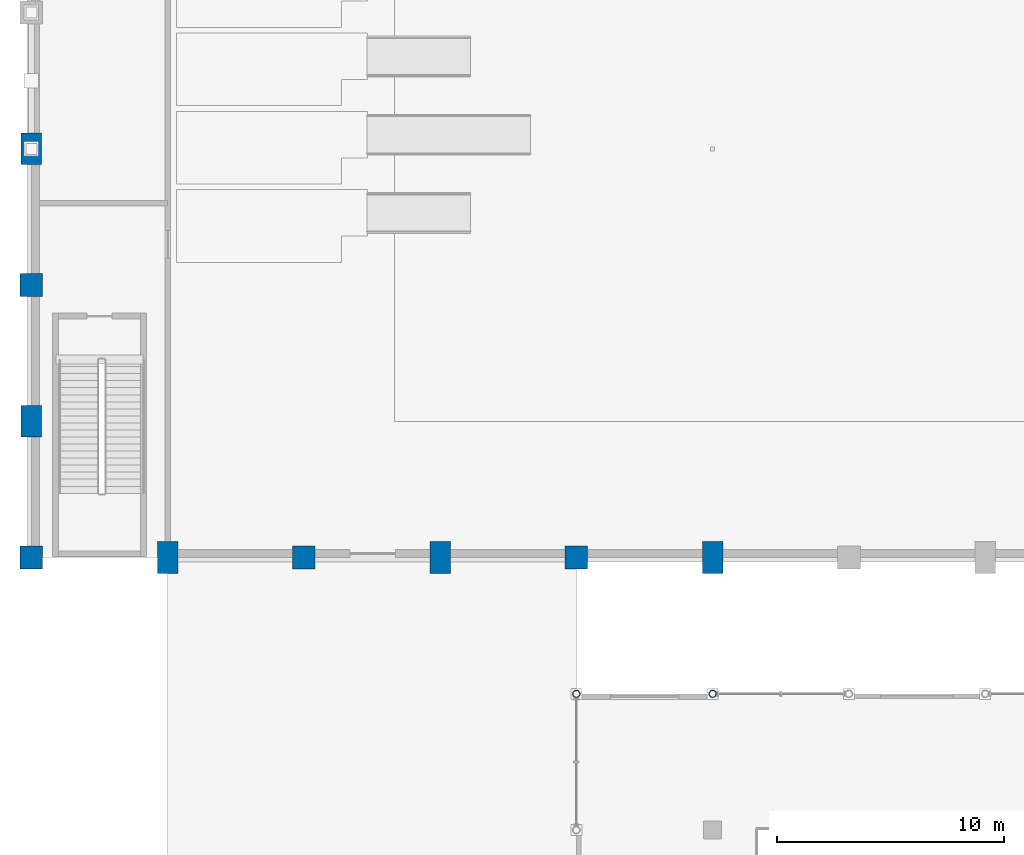
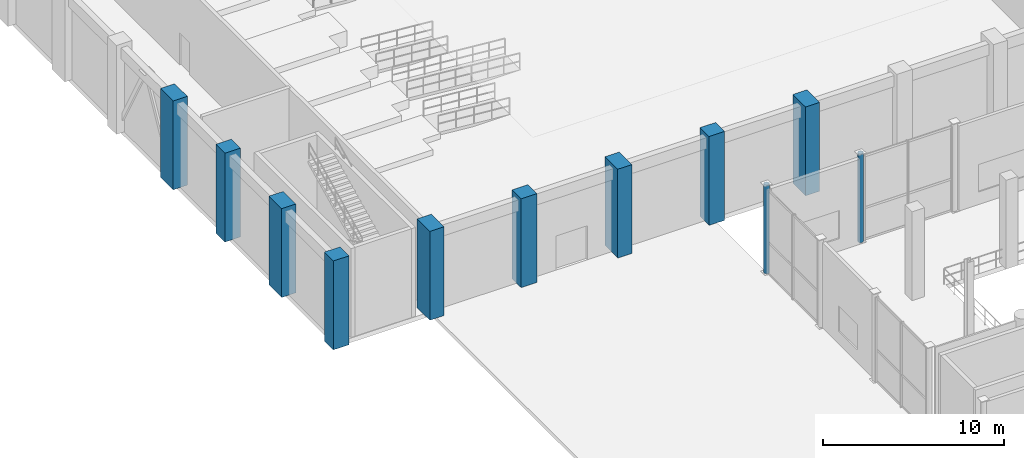
# One storey, part 2 of 106: 11 columns.
"""IFC4 building model written with IfcOpenShell, lengths in metres."""

import ifcopenshell
import ifcopenshell.guid

model = None  # the IFC model being written
_history = None  # IfcOwnerHistory: only IFC2X3 demands one
_inside = {}  # id of a spatial element -> (the spatial element, [elements in it])
_under = {}  # id of a project, library or spatial element -> (it, [spatial elements below it])
_declared = {}  # id of a project -> (the project, [libraries it declares])
_typed = {}  # id of a type object -> (the type object, [elements of that type])
_made_of = {}  # id of a material, layer set ... -> (it, [elements and type objects made of it])


def new_model(schema):
    """Start an empty IFC model of exactly this schema.

    Asked for "IFC4X3", IfcOpenShell would pick the latest addendum, in which some entities
    have other attributes; the version numbers below select the first issue.
    IFC2X3 requires an IfcOwnerHistory on every rooted entity: one is made here for all.
    """
    global model, _history
    if schema == "IFC4X3":
        model = ifcopenshell.file(schema_version=(4, 3, 0, 0))
    else:
        model = ifcopenshell.file(schema=schema)
    _inside.clear()
    _under.clear()
    _declared.clear()
    _typed.clear()
    _made_of.clear()
    _history = None
    if model.schema == "IFC2X3":
        org = make("IfcOrganization", Name="unknown")
        user = make(
            "IfcPersonAndOrganization",
            ThePerson=make("IfcPerson", FamilyName="unknown"),
            TheOrganization=org,
        )
        app = make(
            "IfcApplication",
            ApplicationDeveloper=org,
            Version="unknown",
            ApplicationFullName="unknown",
            ApplicationIdentifier="unknown",
        )
        _history = make(
            "IfcOwnerHistory",
            OwningUser=user,
            OwningApplication=app,
            ChangeAction="ADDED",
            CreationDate=0,
        )
    return model


def make(cls, **values):
    """One entity of the class cls with the attributes given. An attribute that is None is left unset."""
    return model.create_entity(
        cls, **{name: value for name, value in values.items() if value is not None}
    )


def rooted(cls, **values):
    """An entity with a GlobalId (a new one), such as an element, a storey or a relation."""
    return make(cls, GlobalId=ifcopenshell.guid.new(), OwnerHistory=_history, **values)


def si_unit(unit_type, name, prefix=None):
    """IfcSIUnit, for example si_unit("LENGTHUNIT", "METRE", prefix="MILLI")."""
    return make("IfcSIUnit", UnitType=unit_type, Prefix=prefix, Name=name)


def assignment(units):
    """IfcUnitAssignment: the units of a project."""
    return None if units is None else make("IfcUnitAssignment", Units=units)


def point(xyz):
    """IfcCartesianPoint."""
    return None if xyz is None else make("IfcCartesianPoint", Coordinates=xyz)


def direction(xyz):
    """IfcDirection."""
    return None if xyz is None else make("IfcDirection", DirectionRatios=xyz)


def frame(location, z_axis=None, x_axis=None):
    """IfcAxis2Placement3D, a coordinate frame: its origin and axes. An axis left out is left unset."""
    return make(
        "IfcAxis2Placement3D",
        Location=point(location),
        Axis=direction(z_axis),
        RefDirection=direction(x_axis),
    )


def frame_2d(location, x_axis=None):
    """IfcAxis2Placement2D, a coordinate frame in the plane: its origin and x axis."""
    return make(
        "IfcAxis2Placement2D", Location=point(location), RefDirection=direction(x_axis)
    )


def origin():
    """The frame at (0, 0, 0) with its axes left unset."""
    return frame((0.0, 0.0, 0.0))


def origin_2d():
    """The frame at (0, 0) in the plane with its x axis left unset."""
    return frame_2d((0.0, 0.0))


def place(relative_to, where):
    """IfcLocalPlacement: puts the frame where relative to a parent placement (None: the world)."""
    return make(
        "IfcLocalPlacement", PlacementRelTo=relative_to, RelativePlacement=where
    )


def context(
    kind, dimensions, precision=None, world=None, true_north=None, identifier=None
):
    """IfcGeometricRepresentationContext, for example the 3D "Model" context."""
    return make(
        "IfcGeometricRepresentationContext",
        ContextIdentifier=identifier,
        ContextType=kind,
        CoordinateSpaceDimension=dimensions,
        Precision=precision,
        WorldCoordinateSystem=world,
        TrueNorth=true_north,
    )


def subcontext(parent, identifier, kind, view, scale=None):
    """IfcGeometricRepresentationSubContext, for example "Body" below "Model"."""
    return make(
        "IfcGeometricRepresentationSubContext",
        ContextIdentifier=identifier,
        ContextType=kind,
        ParentContext=parent,
        TargetScale=scale,
        TargetView=view,
    )


def project(units=None, contexts=None):
    """IfcProject with its units and contexts."""
    return rooted(
        "IfcProject",
        Name="project",
        RepresentationContexts=contexts,
        UnitsInContext=assignment(units),
    )


def spatial(cls, under=None, at=None, **own):
    """A site, building, storey or space (cls), placed at a placement, below another one or the project."""
    s = rooted(cls, ObjectPlacement=at, **own)
    if under is not None:
        _under.setdefault(under.id(), (under, []))[1].append(s)
    return s


def profile(cls, at=None, kind="AREA", **sizes):
    """A parametric profile (cls). Its sizes go by their IFC names, for example OverallWidth=200.0."""
    return make(cls, ProfileType=kind, Position=at, **sizes)


def rectangle(**sizes):
    """IfcRectangleProfileDef."""
    return profile("IfcRectangleProfileDef", **sizes)


def hollow_circle(**sizes):
    """IfcCircleHollowProfileDef."""
    return profile("IfcCircleHollowProfileDef", **sizes)


def extrude(swept, where, along, depth):
    """IfcExtrudedAreaSolid: the profile swept, set in the frame where, extruded along a direction by depth."""
    return make(
        "IfcExtrudedAreaSolid",
        SweptArea=swept,
        Position=where,
        ExtrudedDirection=direction(along),
        Depth=depth,
    )


def shape(context_of_items, identifier, shape_type, items):
    """IfcShapeRepresentation: the items that make up one representation, for example the "Body"."""
    return make(
        "IfcShapeRepresentation",
        ContextOfItems=context_of_items,
        RepresentationIdentifier=identifier,
        RepresentationType=shape_type,
        Items=items,
    )


def material(Name=None, Category=None):
    """IfcMaterial."""
    return make("IfcMaterial", Name=Name, Category=Category)


def material_profile(
    of_material, cross_section, Name=None, Category=None, Priority=None
):
    """IfcMaterialProfile: a cross section and its material."""
    return make(
        "IfcMaterialProfile",
        Name=Name,
        Material=of_material,
        Profile=cross_section,
        Priority=Priority,
        Category=Category,
    )


def profile_set(profiles, Name=None, composite=None):
    """IfcMaterialProfileSet."""
    return make(
        "IfcMaterialProfileSet",
        Name=Name,
        MaterialProfiles=profiles,
        CompositeProfile=composite,
    )


def made_of(thing, what):
    """Note that an element or type object is made of a material, layer set ...; save() writes the relation."""
    if what is not None:
        _made_of.setdefault(what.id(), (what, []))[1].append(thing)
    return thing


def type_object(cls, material=None, **own):
    """A type object (cls), such as IfcWallType, which elements share."""
    return made_of(rooted(cls, **own), material)


def element(
    cls,
    number,
    at=None,
    inside=None,
    cuts=None,
    type_object=None,
    material=None,
    context=None,
    identifier="Body",
    shape_type=None,
    held_by="IfcProductDefinitionShape",
    body=None,
    shapes=None,
    **own,
):
    """One element of the class cls, such as IfcWall. Its Tag is "e" and its number.

    at: its placement. inside: the storey or other place that contains it. cuts: it is an
    opening in that element (IfcRelVoidsElement). A single representation is given by context,
    identifier, shape_type and body (its items); several are given by shapes. held_by: the class
    of the entity that holds the representations. save() writes the other relations.
    """
    e = rooted(cls, Tag="e%d" % number, ObjectPlacement=at, **own)
    if body is not None:
        shapes = [shape(context, identifier, shape_type, body)]
    if shapes is not None:
        e.Representation = make(held_by, Representations=shapes)
    if inside is not None:
        _inside.setdefault(inside.id(), (inside, []))[1].append(e)
    if cuts is not None:
        rooted(
            "IfcRelVoidsElement", RelatingBuildingElement=cuts, RelatedOpeningElement=e
        )
    if type_object is not None:
        _typed.setdefault(type_object.id(), (type_object, []))[1].append(e)
    return made_of(e, material)


def aggregate(whole, parts):
    """IfcRelAggregates: a whole, such as a stair, and the parts it consists of."""
    return rooted("IfcRelAggregates", RelatingObject=whole, RelatedObjects=parts)


def save(model, path):
    """Write the relations noted so far, then the file.

    IfcRelAggregates (storeys below a building ...), IfcRelContainedInSpatialStructure (elements
    in a storey), IfcRelDefinesByType, IfcRelAssociatesMaterial and IfcRelDeclares: one each for
    every whole, place, type object, material and project.
    """
    for whole, parts in _under.values():
        aggregate(whole, parts)
    for where, things in _inside.values():
        rooted(
            "IfcRelContainedInSpatialStructure",
            RelatedElements=things,
            RelatingStructure=where,
        )
    for kind, things in _typed.values():
        rooted("IfcRelDefinesByType", RelatedObjects=things, RelatingType=kind)
    for what, things in _made_of.values():
        rooted("IfcRelAssociatesMaterial", RelatedObjects=things, RelatingMaterial=what)
    for by, libraries in _declared.values():
        rooted("IfcRelDeclares", RelatingContext=by, RelatedDefinitions=libraries)
    model.write(path)


model = new_model("IFC4")

# Units and contexts
model_context = context("Model", 3, precision=1e-05, world=origin(), true_north=direction((0.0, 1.0)))
body_context = subcontext(model_context, "Body", "Model", "MODEL_VIEW")
ifc_project = project(units=[si_unit("LENGTHUNIT", "METRE"), si_unit("AREAUNIT", "SQUARE_METRE"), si_unit("VOLUMEUNIT", "CUBIC_METRE"), si_unit("PLANEANGLEUNIT", "RADIAN"), si_unit("MASSUNIT", "GRAM", prefix="KILO"), si_unit("THERMODYNAMICTEMPERATUREUNIT", "KELVIN"), si_unit("POWERUNIT", "WATT")], contexts=[model_context])

# Site, building, storey
site_placement = place(None, origin())
site = spatial("IfcSite", under=ifc_project, at=site_placement, CompositionType="ELEMENT")
building_placement = place(site_placement, origin())
building = spatial("IfcBuilding", under=site, at=building_placement, Name="Phaisarnlok Congress Hotel", CompositionType="ELEMENT")
storey_placement = place(building_placement, origin())
storey = spatial("IfcBuildingStorey", under=building, at=storey_placement, Name="L00", CompositionType="ELEMENT", Elevation=0.0)

# Columns
ifc_material_1 = material(Name="Concrete C50/60", Category="concrete")
ifc_material_profile_1 = material_profile(ifc_material_1, rectangle(XDim=1.0, YDim=1.0, at=origin_2d()), Name="RC 1000x1000")
ifc_profile_set_1 = profile_set([ifc_material_profile_1], Name="Concrete C50/60")
column_type_1 = type_object("IfcColumnType", Name="COL-RC-1000", PredefinedType="COLUMN", material=ifc_profile_set_1)
for number, where, z_axis, x_axis, name in (
    (1, (12.0, 42.0, 0.0), (0.0, 0.0, 1.0), (1.0, 0.0, 0.0), "Column C-09 (L00)"),
    (2, (24.0, 42.0, 0.0), (0.0, 0.0, 1.0), (1.0, 0.0, 0.0), "Column C-09 (L00)"),
):
    element("IfcColumn", number, at=place(storey_placement, frame(where, z_axis=z_axis, x_axis=x_axis)), inside=storey, type_object=column_type_1, Name=name, PredefinedType="COLUMN", context=body_context, shape_type="SweptSolid", body=[
        extrude(rectangle(XDim=1.0, YDim=1.0, at=origin_2d()), origin(), (0.0, 0.0, 1.0), 6.0),
    ])
ifc_material_profile_2 = material_profile(ifc_material_1, rectangle(XDim=1.0, YDim=1.0, at=origin_2d()), Name="RC 1000x1000")
ifc_profile_set_2 = profile_set([ifc_material_profile_2], Name="Concrete C50/60")
column_type_2 = type_object("IfcColumnType", Name="COL-RC-1000-EXT", PredefinedType="COLUMN", material=ifc_profile_set_2)
for number, where, z_axis, x_axis, name in (
    (3, (0.0, 42.0, 0.0), (0.0, 0.0, 1.0), (1.0, 0.0, 0.0), "Column C-09E (L00)"),
    (4, (0.0, 54.0, 0.0), (0.0, 0.0, 1.0), (1.0, 0.0, 0.0), "Column C-09E (L00)"),
):
    element("IfcColumn", number, at=place(storey_placement, frame(where, z_axis=z_axis, x_axis=x_axis)), inside=storey, type_object=column_type_2, Name=name, PredefinedType="COLUMN", context=body_context, shape_type="SweptSolid", body=[
        extrude(rectangle(XDim=1.0, YDim=1.0, at=origin_2d()), origin(), (0.0, 0.0, 1.0), 6.0),
    ])
ifc_material_profile_3 = material_profile(ifc_material_1, rectangle(XDim=0.89990234375, YDim=1.39990234375, at=origin_2d()), Name="RC 900x1400")
ifc_profile_set_3 = profile_set([ifc_material_profile_3], Name="Concrete C50/60")
column_type_3 = type_object("IfcColumnType", Name="COL-RC-900x1400", PredefinedType="COLUMN", material=ifc_profile_set_3)
for number, where, z_axis, x_axis, name in (
    (5, (6.0, 42.0, 0.0), (0.0, 0.0, 1.0), (1.0, 0.0, 0.0), "Column C-12 (L00)"),
    (6, (18.0, 42.0, 0.0), (0.0, 0.0, 1.0), (1.0, 0.0, 0.0), "Column C-12 (L00)"),
    (7, (30.0, 42.0, 0.0), (0.0, 0.0, 1.0), (1.0, 0.0, 0.0), "Column C-12 (L00)"),
):
    element("IfcColumn", number, at=place(storey_placement, frame(where, z_axis=z_axis, x_axis=x_axis)), inside=storey, type_object=column_type_3, Name=name, PredefinedType="COLUMN", context=body_context, shape_type="SweptSolid", body=[
        extrude(rectangle(XDim=0.89990234375, YDim=1.39990234375, at=origin_2d()), origin(), (0.0, 0.0, 1.0), 6.0),
    ])
ifc_material_profile_4 = material_profile(ifc_material_1, rectangle(XDim=0.89990234375, YDim=1.39990234375, at=origin_2d()), Name="RC 900x1400")
ifc_profile_set_4 = profile_set([ifc_material_profile_4], Name="Concrete C50/60")
column_type_4 = type_object("IfcColumnType", Name="COL-RC-900x1400-EXT", PredefinedType="COLUMN", material=ifc_profile_set_4)
for number, where, z_axis, x_axis, name in (
    (8, (0.0, 48.0, 0.0), (0.0, 0.0, 1.0), (1.0, 0.0, 0.0), "Column C-12E (L00)"),
    (9, (0.0, 60.0, 0.0), (0.0, 0.0, 1.0), (1.0, 0.0, 0.0), "Column C-12E (L00)"),
):
    element("IfcColumn", number, at=place(storey_placement, frame(where, z_axis=z_axis, x_axis=x_axis)), inside=storey, type_object=column_type_4, Name=name, PredefinedType="COLUMN", context=body_context, shape_type="SweptSolid", body=[
        extrude(rectangle(XDim=0.89990234375, YDim=1.39990234375, at=origin_2d()), origin(), (0.0, 0.0, 1.0), 6.0),
    ])
ifc_material_2 = material(Name="Steel S355", Category="steel")
ifc_material_profile_5 = material_profile(ifc_material_2, hollow_circle(Radius=0.161865234375, WallThickness=0.01611328125, at=origin_2d()), Name="CHS 323.9x16")
ifc_profile_set_5 = profile_set([ifc_material_profile_5], Name="Steel S355")
column_type_5 = type_object("IfcColumnType", Name="COL-STL-CHS324", PredefinedType="COLUMN", material=ifc_profile_set_5)
for number, where, z_axis, x_axis, name in (
    (10, (24.0, 36.0, 0.0), (0.0, 0.0, 1.0), (1.0, 0.0, 0.0), "Column SC-01 (L00)"),
    (11, (30.0, 36.0, 0.0), (0.0, 0.0, 1.0), (1.0, 0.0, 0.0), "Column SC-01 (L00)"),
):
    element("IfcColumn", number, at=place(storey_placement, frame(where, z_axis=z_axis, x_axis=x_axis)), inside=storey, type_object=column_type_5, Name=name, PredefinedType="COLUMN", context=body_context, shape_type="SweptSolid", body=[
        extrude(hollow_circle(Radius=0.161865234375, WallThickness=0.01611328125, at=origin_2d()), origin(), (0.0, 0.0, 1.0), 6.0),
    ])

save(model, "model.ifc")
